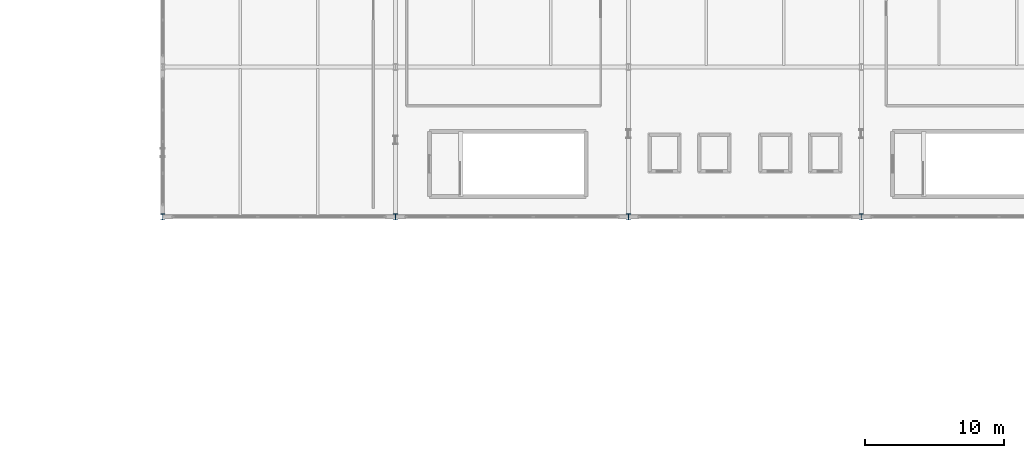
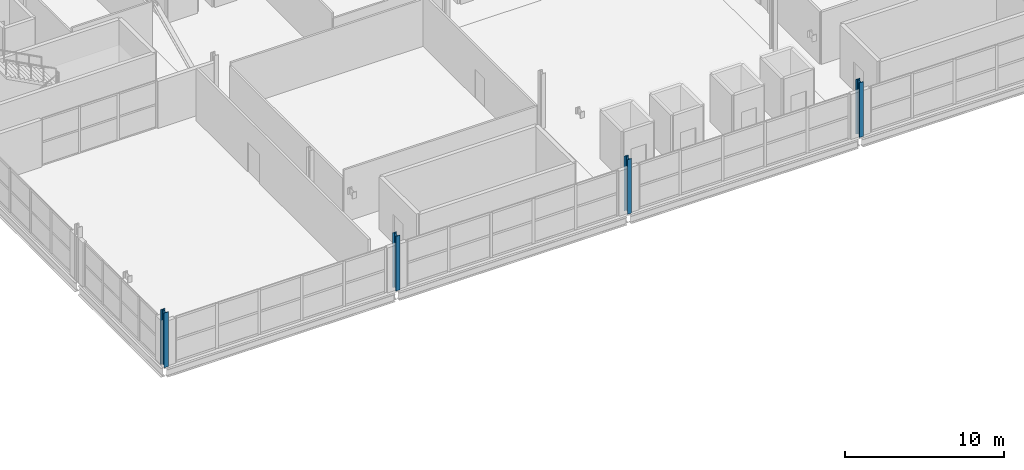
# One storey, part 1 of 39: 4 columns.
"""IFC4 building model written with IfcOpenShell, lengths in metres."""

from ifc_helpers import new_model, si_unit, direction, frame, origin, origin_2d, place, context, subcontext, project, spatial, i_section, extrude, material, material_profile, profile_set, type_object, element, save


model = new_model("IFC4")

# Units and contexts
model_context = context("Model", 3, precision=1e-05, world=origin(), true_north=direction((0.0, 1.0)))
body_context = subcontext(model_context, "Body", "Model", "MODEL_VIEW")
ifc_project = project(units=[si_unit("LENGTHUNIT", "METRE"), si_unit("AREAUNIT", "SQUARE_METRE"), si_unit("VOLUMEUNIT", "CUBIC_METRE"), si_unit("PLANEANGLEUNIT", "RADIAN"), si_unit("MASSUNIT", "GRAM", prefix="KILO")], contexts=[model_context])

# Site, building, storey
site_placement = place(None, origin())
site = spatial("IfcSite", under=ifc_project, at=site_placement, CompositionType="ELEMENT")
building_placement = place(site_placement, origin())
building = spatial("IfcBuilding", under=site, at=building_placement, Name="Kimbaza Rail Terminus", CompositionType="ELEMENT")
storey_placement = place(building_placement, frame((0.0, 0.0, 16.800048828125)))
storey = spatial("IfcBuildingStorey", under=building, at=storey_placement, Name="L03", CompositionType="ELEMENT", Elevation=16.800048828125)

# Columns
ifc_material = material(Name="Steel S355", Category="steel")
ifc_material_profile = material_profile(ifc_material, i_section(OverallWidth=0.300048828125, OverallDepth=0.449951171875, WebThickness=0.013916015625, FlangeThickness=0.02587890625, FilletRadius=0.027099609375, at=origin_2d()), Name="HEB 450")
ifc_profile_set = profile_set([ifc_material_profile], Name="Steel S355")
column_type = type_object("IfcColumnType", Name="STR-COL-HEB450", PredefinedType="COLUMN", material=ifc_profile_set)
for number, where, z_axis, x_axis, name in (
    (1, (72.0, 80.199951171875, 0.0), (0.0, 0.0, 1.0), (1.0, 0.0, 0.0), "North Transfer Pier L03 (1,0)"),
    (2, (88.800048828125, 80.199951171875, 0.0), (0.0, 0.0, 1.0), (1.0, 0.0, 0.0), "North Transfer Pier L03 (2,0)"),
    (3, (105.60009765625, 80.199951171875, 0.0), (0.0, 0.0, 1.0), (1.0, 0.0, 0.0), "North Transfer Pier L03 (3,0)"),
    (4, (122.39990234375, 80.199951171875, 0.0), (0.0, 0.0, 1.0), (1.0, 0.0, 0.0), "North Transfer Pier L03 (4,0)"),
):
    element("IfcColumn", number, at=place(storey_placement, frame(where, z_axis=z_axis, x_axis=x_axis)), inside=storey, type_object=column_type, Name=name, PredefinedType="COLUMN", context=body_context, shape_type="SweptSolid", body=[
        extrude(i_section(OverallWidth=0.300048828125, OverallDepth=0.449951171875, WebThickness=0.013916015625, FlangeThickness=0.02587890625, FilletRadius=0.027099609375, at=origin_2d()), origin(), (0.0, 0.0, 1.0), 4.199951171875),
    ])

save(model, "model.ifc")
